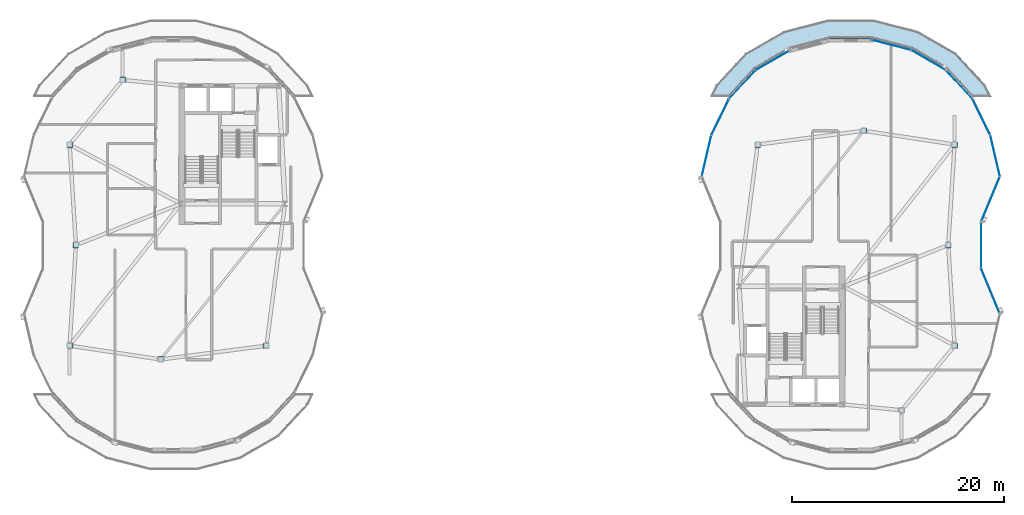
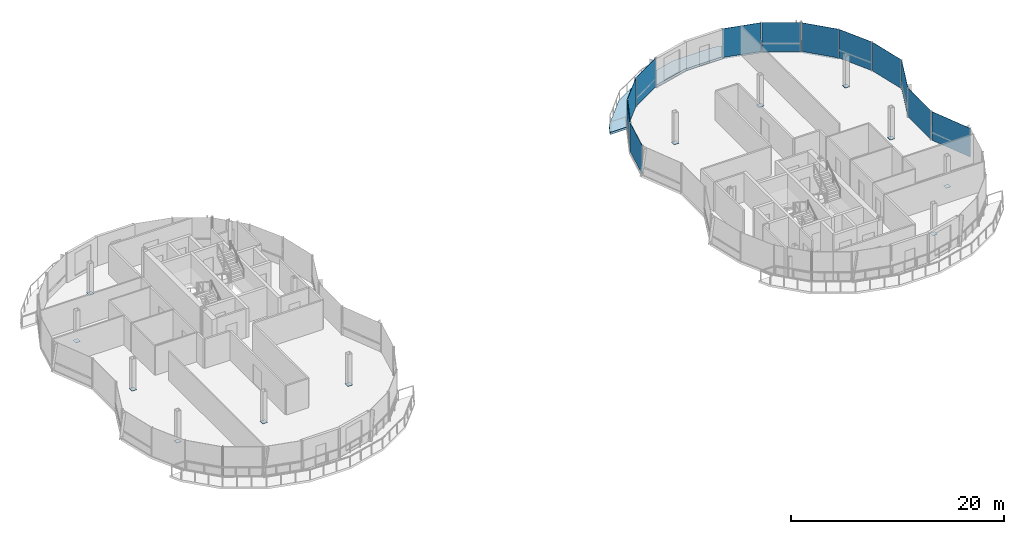
# One storey, part 11 of 20: 24 plates, 1 slab, 3 elements without a shape of their own.
"""IFC4 building model written with IfcOpenShell, lengths in metres."""

from ifc_helpers import new_model, si_unit, direction, frame, origin, origin_2d, place, context, subcontext, project, spatial, polyline, rectangle, outline, extrude, material, layer, layer_set, type_object, element, aggregate, save


model = new_model("IFC4")

# Units and contexts
model_context = context("Model", 3, precision=1e-05, world=origin(), true_north=direction((0.0, 1.0)))
body_context = subcontext(model_context, "Body", "Model", "MODEL_VIEW")
ifc_project = project(units=[si_unit("LENGTHUNIT", "METRE"), si_unit("AREAUNIT", "SQUARE_METRE"), si_unit("VOLUMEUNIT", "CUBIC_METRE"), si_unit("PLANEANGLEUNIT", "RADIAN"), si_unit("MASSUNIT", "GRAM", prefix="KILO"), si_unit("THERMODYNAMICTEMPERATUREUNIT", "KELVIN"), si_unit("POWERUNIT", "WATT")], contexts=[model_context])

# Site, building, storey
site_placement = place(None, origin())
site = spatial("IfcSite", under=ifc_project, at=site_placement, CompositionType="ELEMENT")
building_placement = place(site_placement, origin())
building = spatial("IfcBuilding", under=site, at=building_placement, Name="Cundina Bronze Exchange", CompositionType="ELEMENT")
storey_placement = place(building_placement, frame((0.0, 0.0, 282.800048828125)))
storey = spatial("IfcBuildingStorey", under=building, at=storey_placement, Name="L75", CompositionType="ELEMENT", Elevation=282.800048828125)

# Plates
ifc_material_1 = material(Name="Steel ASTM A572 Grade 50", Category="steel")
ifc_layer_1 = layer(ifc_material_1, 0.02490234375, Name="Steel ASTM A572 Grade 50", Category="steel")
ifc_layer_set_1 = layer_set([ifc_layer_1], Name="Steel ASTM A572 Grade 50")
plate_type_1 = type_object("IfcPlateType", Name="PLT-CAP-STL25", PredefinedType="USERDEFINED", material=ifc_layer_set_1)
for number, where, z_axis, x_axis, name in (
    (1, (-41.199951171875, 0.0, -0.012451171875), (0.0, 0.0, 1.0), (1.0, 0.0, 0.0), "L75 W HSS Column Base Cap 1"),
    (2, (-41.800048828125, 9.5, -0.012451171875), (0.0, 0.0, 1.0), (1.0, 0.0, 0.0), "L75 W HSS Column Base Cap 2"),
    (3, (-36.800048828125, 15.60009765625, -0.012451171875), (0.0, 0.0, 1.0), (1.0, 0.0, 0.0), "L75 W HSS Column Base Cap 3"),
    (4, (-41.800048828125, -9.5, -0.012451171875), (0.0, 0.0, 1.0), (1.0, 0.0, 0.0), "L75 W HSS Column Base Cap 4"),
    (5, (-33.199951171875, -10.800048828125, -0.012451171875), (0.0, 0.0, 1.0), (1.0, 0.0, 0.0), "L75 W HSS Column Base Cap 5"),
    (6, (-23.199951171875, -9.5, -0.012451171875), (0.0, 0.0, 1.0), (1.0, 0.0, 0.0), "L75 W HSS Column Base Cap 6"),
    (7, (41.199951171875, 0.0, -0.012451171875), (0.0, 0.0, 1.0), (1.0, 0.0, 0.0), "L75 E HSS Column Base Cap 1"),
    (8, (41.800048828125, -9.5, -0.012451171875), (0.0, 0.0, 1.0), (1.0, 0.0, 0.0), "L75 E HSS Column Base Cap 2"),
    (9, (36.800048828125, -15.60009765625, -0.012451171875), (0.0, 0.0, 1.0), (1.0, 0.0, 0.0), "L75 E HSS Column Base Cap 3"),
    (10, (41.800048828125, 9.5, -0.012451171875), (0.0, 0.0, 1.0), (1.0, 0.0, 0.0), "L75 E HSS Column Base Cap 4"),
    (11, (33.199951171875, 10.800048828125, -0.012451171875), (0.0, 0.0, 1.0), (1.0, 0.0, 0.0), "L75 E HSS Column Base Cap 5"),
    (12, (23.199951171875, 9.5, -0.012451171875), (0.0, 0.0, 1.0), (1.0, 0.0, 0.0), "L75 E HSS Column Base Cap 6"),
):
    element("IfcPlate", number, at=place(storey_placement, frame(where, z_axis=z_axis, x_axis=x_axis)), inside=storey, type_object=plate_type_1, Name=name, ObjectType="STIFFENER_PLATE", PredefinedType="USERDEFINED", context=body_context, shape_type="SweptSolid", body=[
        extrude(rectangle(XDim=0.52001953125, YDim=0.52001953125, at=origin_2d()), origin(), (0.0, 0.0, 1.0), 0.02490234375),
    ])

# Curtain wall, plates
ifc_material_2 = material(Name="Anodised Bronze Aluminium 6063-T6", Category="aluminium")
curtain_wall_type = type_object("IfcCurtainWallType", Name="CWS-CRN-TMD", PredefinedType="NOTDEFINED", material=ifc_material_2)
curtain_wall_1_placement = place(storey_placement, origin())
curtain_wall_1 = element("IfcCurtainWall", 13, at=curtain_wall_1_placement, inside=storey, type_object=curtain_wall_type, Name="L75 CW-07 Curtain Wall Run CWR-L75-E1", PredefinedType="NOTDEFINED")
ifc_material_3 = material(Name="Clear Low-E Insulating Glass 26mm", Category="glass")
ifc_layer_2 = layer(ifc_material_3, 0.02587890625, Name="Clear Low-E Insulating Glass 26mm", Category="glass")
ifc_layer_set_2 = layer_set([ifc_layer_2], Name="Clear Low-E Insulating Glass 26mm")
plate_type_2 = type_object("IfcPlateType", Name="PLT-GLZ-CLR26", PredefinedType="CURTAIN_PANEL", material=ifc_layer_set_2)
plate_1_placement = place(storey_placement, frame((45.205078125, 4.372314453125, 0.02001953125), z_axis=(0.0, 0.0, 1.0), x_axis=(0.383231606105, 0.923652280938, 0.0)))
plate_1 = element("IfcPlate", 14, at=plate_1_placement, type_object=plate_type_2, Name="CW-07 Glazed Panel 1", PredefinedType="CURTAIN_PANEL", context=body_context, shape_type="SweptSolid", body=[
    extrude(rectangle(XDim=4.54150390625, YDim=0.02587890625, at=origin_2d()), origin(), (0.0, 0.0, 1.0), 3.300048828125),
])
plate_2_placement = place(storey_placement, frame((45.628173828125, 8.427978515625, 0.02001953125), z_axis=(0.0, 0.0, 1.0), x_axis=(-0.226328312319, 0.974051074145, 0.0)))
plate_2 = element("IfcPlate", 15, at=plate_2_placement, type_object=plate_type_2, Name="CW-07 Glazed Panel 2", PredefinedType="CURTAIN_PANEL", context=body_context, shape_type="SweptSolid", body=[
    extrude(rectangle(XDim=3.970458984375, YDim=0.02587890625, at=origin_2d()), origin(), (0.0, 0.0, 1.0), 3.300048828125),
])
plate_3_placement = place(storey_placement, frame((44.337158203125, 12.099609375, 0.02001953125), z_axis=(0.0, 0.0, 1.0), x_axis=(-0.439343478699, 0.898319156939, 0.0)))
plate_3 = element("IfcPlate", 16, at=plate_3_placement, type_object=plate_type_2, Name="CW-07 Glazed Panel 3", PredefinedType="CURTAIN_PANEL", context=body_context, shape_type="SweptSolid", body=[
    extrude(rectangle(XDim=3.7294921875, YDim=0.02587890625, at=origin_2d()), origin(), (0.0, 0.0, 1.0), 3.300048828125),
])
plate_4_placement = place(storey_placement, frame((42.24853515625, 15.15966796875, 0.02001953125), z_axis=(0.0, 0.0, 1.0), x_axis=(-0.679082655089, 0.734061814534, 0.0)))
plate_4 = element("IfcPlate", 17, at=plate_4_placement, type_object=plate_type_2, Name="CW-07 Glazed Panel 4", PredefinedType="CURTAIN_PANEL", context=body_context, shape_type="SweptSolid", body=[
    extrude(rectangle(XDim=3.638671875, YDim=0.02587890625, at=origin_2d()), origin(), (0.0, 0.0, 1.0), 3.300048828125),
])
plate_5_placement = place(storey_placement, frame((35.85009765625, 18.8916015625, 0.02001953125), z_axis=(0.0, 0.0, 1.0), x_axis=(-0.96830912685, 0.249754749424, 0.0)))
plate_5 = element("IfcPlate", 18, at=plate_5_placement, type_object=plate_type_2, Name="CW-07 Glazed Panel 6", PredefinedType="CURTAIN_PANEL", context=body_context, shape_type="SweptSolid", body=[
    extrude(rectangle(XDim=3.822021484375, YDim=0.02587890625, at=origin_2d()), origin(), (0.0, 0.0, 1.0), 3.300048828125),
])

curtain_wall_2_placement = place(storey_placement, origin())
curtain_wall_2 = element("IfcCurtainWall", 19, at=curtain_wall_2_placement, inside=storey, type_object=curtain_wall_type, Name="L75 CW-07 Curtain Wall Run CWR-L75-E2", PredefinedType="NOTDEFINED")
plate_6_placement = place(storey_placement, frame((24.6376953125, 17.46142578125, 0.02001953125), z_axis=(0.0, 0.0, 1.0), x_axis=(-0.865308932118, -0.501238917081, 0.0)))
plate_6 = element("IfcPlate", 20, at=plate_6_placement, type_object=plate_type_2, Name="CW-07 Glazed Panel 1", PredefinedType="CURTAIN_PANEL", context=body_context, shape_type="SweptSolid", body=[
    extrude(rectangle(XDim=3.70849609375, YDim=0.02587890625, at=origin_2d()), origin(), (0.0, 0.0, 1.0), 3.300048828125),
])
plate_7_placement = place(storey_placement, frame((21.75146484375, 15.15966796875, 0.02001953125), z_axis=(0.0, 0.0, 1.0), x_axis=(-0.679082655089, -0.734061814534, 0.0)))
plate_7 = element("IfcPlate", 21, at=plate_7_placement, type_object=plate_type_2, Name="CW-07 Glazed Panel 2", PredefinedType="CURTAIN_PANEL", context=body_context, shape_type="SweptSolid", body=[
    extrude(rectangle(XDim=3.638671875, YDim=0.02587890625, at=origin_2d()), origin(), (0.0, 0.0, 1.0), 3.300048828125),
])
plate_8_placement = place(storey_placement, frame((19.662841796875, 12.099609375, 0.02001953125), z_axis=(0.0, 0.0, 1.0), x_axis=(-0.439343478699, -0.898319156939, 0.0)))
plate_8 = element("IfcPlate", 22, at=plate_8_placement, type_object=plate_type_2, Name="CW-07 Glazed Panel 3", PredefinedType="CURTAIN_PANEL", context=body_context, shape_type="SweptSolid", body=[
    extrude(rectangle(XDim=3.7294921875, YDim=0.02587890625, at=origin_2d()), origin(), (0.0, 0.0, 1.0), 3.300048828125),
])

curtain_wall_3_placement = place(storey_placement, origin())
curtain_wall_3 = element("IfcCurtainWall", 23, at=curtain_wall_3_placement, inside=storey, type_object=curtain_wall_type, Name="L75 CW-07 Curtain Wall Run CWR-L75-E4", PredefinedType="NOTDEFINED")
plate_9_placement = place(storey_placement, frame((45.205078125, -4.372314453125, 0.02001953125), z_axis=(0.0, 0.0, 1.0), x_axis=(-0.383231606105, 0.923652280938, 0.0)))
plate_9 = element("IfcPlate", 24, at=plate_9_placement, type_object=plate_type_2, Name="CW-07 Glazed Panel 5", PredefinedType="CURTAIN_PANEL", context=body_context, shape_type="SweptSolid", body=[
    extrude(rectangle(XDim=4.54150390625, YDim=0.02587890625, at=origin_2d()), origin(), (0.0, 0.0, 1.0), 3.300048828125),
])
plate_10_placement = place(storey_placement, frame((44.31005859375, 0.0, 0.02001953125), z_axis=(0.0, 0.0, 1.0), x_axis=(0.0, 1.0, 0.0)))
plate_10 = element("IfcPlate", 25, at=plate_10_placement, type_object=plate_type_2, Name="CW-07 Glazed Panel 6", PredefinedType="CURTAIN_PANEL", context=body_context, shape_type="SweptSolid", body=[
    extrude(rectangle(XDim=4.300048828125, YDim=0.02587890625, at=origin_2d()), origin(), (0.0, 0.0, 1.0), 3.300048828125),
])
aggregate(curtain_wall_3, [plate_9, plate_10])

# Plate
ifc_material_4 = material(Name="Dark Bronze Spandrel Glass Panel 32mm", Category="glass")
ifc_layer_3 = layer(ifc_material_4, 0.031982421875, Name="Dark Bronze Spandrel Glass Panel 32mm", Category="glass")
ifc_layer_set_3 = layer_set([ifc_layer_3], Name="Dark Bronze Spandrel Glass Panel 32mm")
plate_type_3 = type_object("IfcPlateType", Name="PLT-SPN-BRZ32", PredefinedType="CURTAIN_PANEL", material=ifc_layer_set_3)
plate_11_placement = place(storey_placement, frame((39.3623046875, 17.46142578125, 0.02001953125), z_axis=(0.0, 0.0, 1.0), x_axis=(-0.865308932118, 0.501238917081, 0.0)))
plate_11 = element("IfcPlate", 26, at=plate_11_placement, type_object=plate_type_3, Name="CW-07 Glazed Panel 5", PredefinedType="CURTAIN_PANEL", context=body_context, shape_type="SweptSolid", body=[
    extrude(rectangle(XDim=3.70849609375, YDim=0.031982421875, at=origin_2d()), origin(), (0.0, 0.0, 1.0), 3.300048828125),
])

aggregate(curtain_wall_1, [plate_1, plate_2, plate_3, plate_4, plate_11, plate_5])

plate_12_placement = place(storey_placement, frame((18.371826171875, 8.427978515625, 0.02001953125), z_axis=(0.0, 0.0, 1.0), x_axis=(-0.226328312319, -0.974051074145, 0.0)))
plate_12 = element("IfcPlate", 27, at=plate_12_placement, type_object=plate_type_3, Name="CW-07 Glazed Panel 4", PredefinedType="CURTAIN_PANEL", context=body_context, shape_type="SweptSolid", body=[
    extrude(rectangle(XDim=3.970458984375, YDim=0.031982421875, at=origin_2d()), origin(), (0.0, 0.0, 1.0), 3.300048828125),
])

aggregate(curtain_wall_2, [plate_6, plate_7, plate_8, plate_12])

# Slab
ifc_material_5 = material(Name="Concrete C40/50", Category="concrete")
ifc_layer_4 = layer(ifc_material_5, 0.25, Name="Concrete C40/50", Category="concrete")
ifc_layer_set_4 = layer_set([ifc_layer_4], Name="Concrete C40/50")
slab_type = type_object("IfcSlabType", Name="SLB-TER-250", PredefinedType="FLOOR", material=ifc_layer_set_4)
slab_placement = place(storey_placement, frame((0.0, 0.0, -0.25)))
element("IfcSlab", 28, at=slab_placement, inside=storey, type_object=slab_type, Name="L75 Leg E N Planted Crown Terrace Slab", PredefinedType="FLOOR", context=body_context, shape_type="SweptSolid", body=[
    extrude(outline(polyline([(19.27587890625, 15.132080078125), (22.051025390625, 18.1201171875), (25.658935546875, 20.198974609375), (29.822021484375, 21.264892578125), (34.177978515625, 21.264892578125), (38.341064453125, 20.198974609375), (41.948974609375, 18.1201171875), (44.72412109375, 15.132080078125), (45.277587890625, 14.0), (43.47802734375, 14.0), (41.06689453125, 16.606201171875), (41.06591796875, 16.607177734375), (41.064697265625, 16.608154296875), (41.0634765625, 16.60888671875), (37.776611328125, 18.512939453125), (37.775390625, 18.513671875), (37.77392578125, 18.51416015625), (37.772705078125, 18.514404296875), (33.984619140625, 19.491455078125), (33.9833984375, 19.49169921875), (33.982421875, 19.491943359375), (33.98095703125, 19.491943359375), (30.01904296875, 19.491943359375), (30.017578125, 19.491943359375), (30.0166015625, 19.49169921875), (30.015380859375, 19.491455078125), (26.227294921875, 18.514404296875), (26.22607421875, 18.51416015625), (26.224609375, 18.513671875), (26.223388671875, 18.512939453125), (22.9365234375, 16.60888671875), (22.935302734375, 16.608154296875), (22.93408203125, 16.607177734375), (22.93310546875, 16.606201171875), (20.52197265625, 14.0), (18.722412109375, 14.0), (19.27587890625, 15.132080078125)])), origin(), (0.0, 0.0, 1.0), 0.25),
])

save(model, "model.ifc")
